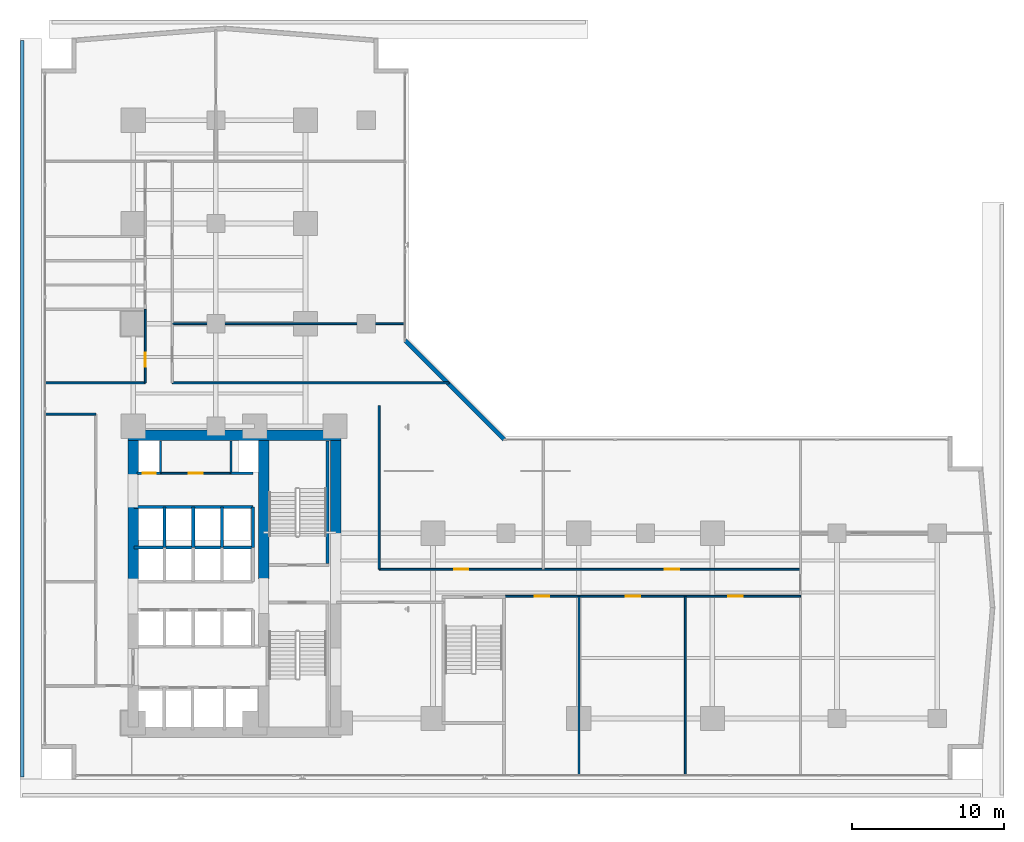
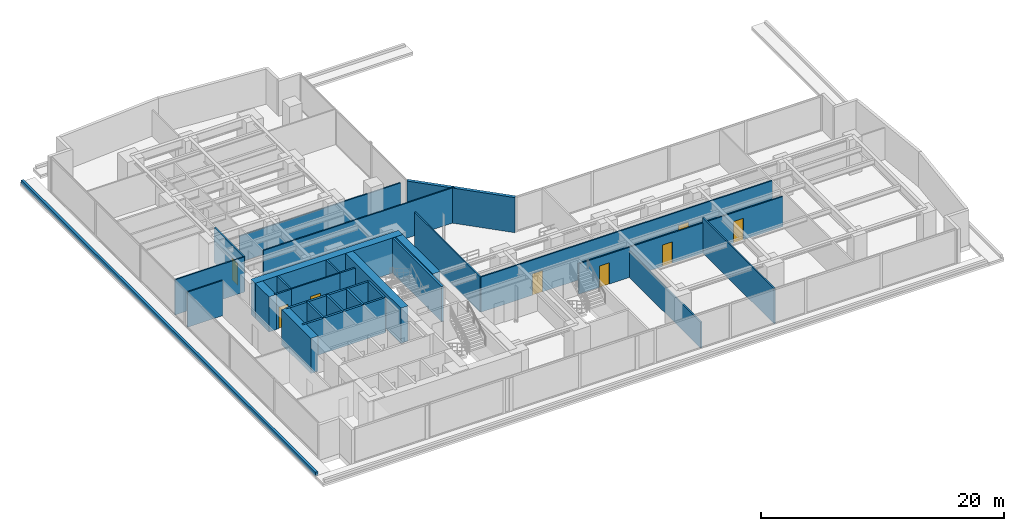
# One storey, part 22 of 29: 29 walls, 8 doors, 8 openings.
"""IFC4 building model written with IfcOpenShell, lengths in metres."""

from ifc_helpers import new_model, si_unit, direction, frame, frame_2d, origin, place, context, subcontext, project, spatial, rectangle, extrude, material, layer, layer_set, type_object, element, fill, save


model = new_model("IFC4")

# Units and contexts
model_context = context("Model", 3, precision=1e-05, world=origin(), true_north=direction((0.0, 1.0)))
body_context = subcontext(model_context, "Body", "Model", "MODEL_VIEW")
ifc_project = project(units=[si_unit("LENGTHUNIT", "METRE"), si_unit("AREAUNIT", "SQUARE_METRE"), si_unit("VOLUMEUNIT", "CUBIC_METRE"), si_unit("PLANEANGLEUNIT", "RADIAN"), si_unit("MASSUNIT", "GRAM", prefix="KILO")], contexts=[model_context])

# Site, building, storey
site_placement = place(None, origin())
site = spatial("IfcSite", under=ifc_project, at=site_placement, CompositionType="ELEMENT")
building_placement = place(site_placement, origin())
building = spatial("IfcBuilding", under=site, at=building_placement, Name="Kolvaren Waterfront Exchange", CompositionType="ELEMENT")
storey_placement = place(building_placement, frame((0.0, 0.0, 29.60009765625)))
storey = spatial("IfcBuildingStorey", under=building, at=storey_placement, Name="L07", CompositionType="ELEMENT", Elevation=29.60009765625)

# Walls
ifc_material_1 = material(Name="Precast concrete C40/50", Category="concrete")
ifc_layer_1 = layer(ifc_material_1, 0.280029296875, Name="Precast concrete C40/50")
ifc_layer_set_1 = layer_set([ifc_layer_1], Name="Precast concrete C40/50")
wall_type_1 = type_object("IfcWallType", Name="ARC-EXT-TERR-280", PredefinedType="SOLIDWALL", material=ifc_layer_set_1)
wall_1_placement = place(storey_placement, frame((31.885009765625, 23.574951171875, 0.0), z_axis=(0.0, 0.0, 1.0), x_axis=(-0.707106781187, 0.707106781187, 0.0)))
element("IfcWall", 1, at=wall_1_placement, inside=storey, type_object=wall_type_1, Name="L07 notched corner spandrel pier ELBOW", PredefinedType="SOLIDWALL", context=body_context, shape_type="SweptSolid", body=[
    extrude(rectangle(XDim=9.20654296875, YDim=0.280029296875, at=frame_2d((4.603271484375, 0.0))), origin(), (0.0, 0.0, 1.0), 3.539794921875),
])
ifc_layer_2 = layer(ifc_material_1, 0.239990234375, Name="Precast concrete C40/50")
ifc_layer_set_2 = layer_set([ifc_layer_2], Name="Precast concrete C40/50")
wall_type_2 = type_object("IfcWallType", Name="ARC-PARAPET-240", PredefinedType="PARAPET", material=ifc_layer_set_2)
wall_2_placement = place(storey_placement, frame((0.14990234375, 1.360107421875, 0.0), z_axis=(0.0, 0.0, 1.0), x_axis=(0.0, 1.0, 0.0)))
element("IfcWall", 2, at=wall_2_placement, inside=storey, type_object=wall_type_2, Name="L07 setback parapet kerb 4", PredefinedType="PARAPET", context=body_context, shape_type="SweptSolid", body=[
    extrude(rectangle(XDim=48.47998046875, YDim=0.239990234375, at=frame_2d((24.239990234375, 0.0))), origin(), (0.0, 0.0, 1.0), 0.419921875),
])

# Wall, opening, door
ifc_material_2 = material(Name="Acoustic gypsum steel stud", Category="steel")
ifc_layer_3 = layer(ifc_material_2, 0.125, Name="Acoustic gypsum steel stud")
ifc_layer_set_3 = layer_set([ifc_layer_3], Name="Acoustic gypsum steel stud")
wall_type_3 = type_object("IfcWallType", Name="ARC-PART-125", PredefinedType="PARTITIONING", material=ifc_layer_set_3)
wall_3_placement = place(storey_placement, frame((9.25, 21.35009765625, 0.0), z_axis=(0.0, 0.0, 1.0), x_axis=(1.0, 0.0, 0.0)))
wall_3 = element("IfcWall", 3, at=wall_3_placement, inside=storey, type_object=wall_type_3, Name="L07 interior wall PW-L07-SVC-EX-S", PredefinedType="PARTITIONING", context=body_context, shape_type="SweptSolid", body=[
    extrude(rectangle(XDim=4.64990234375, YDim=0.125, at=frame_2d((2.324951171875, 0.0))), origin(), (0.0, 0.0, 1.0), 3.539794921875),
])
opening_1_placement = place(wall_3_placement, frame((1.85009765625, 0.0, 0.0)))
opening_1 = element("IfcOpeningElement", 4, at=opening_1_placement, cuts=wall_3, Name="Opening D02", PredefinedType="OPENING", context=body_context, shape_type="SweptSolid", body=[
    extrude(rectangle(XDim=0.949951171875, YDim=2.14990234375, at=frame_2d((0.47509765625, 1.074951171875))), frame((0.0, 0.072509765625, 0.0), z_axis=(0.0, -1.0, 0.0), x_axis=(1.0, 0.0, 0.0)), (0.0, 0.0, 1.0), 0.14501953125),
])
ifc_material_3 = material(Name="Oak veneer acoustic timber", Category="wood")
door_type_1 = type_object("IfcDoorType", Name="ARC-DR-950", OperationType="NOTDEFINED", PredefinedType="DOOR", material=ifc_material_3)
door_1_placement = place(opening_1_placement, origin())
door_1 = element("IfcDoor", 5, at=door_1_placement, inside=storey, type_object=door_type_1, Name="L07 door DR-L07-SVC-DR-1 (D02)", OperationType="SINGLE_SWING_LEFT", OverallHeight=2.14990234375, OverallWidth=0.949951171875, PredefinedType="DOOR", context=body_context, shape_type="SweptSolid", body=[
    extrude(rectangle(XDim=0.949951171875, YDim=2.14990234375, at=frame_2d((0.47509765625, 1.074951171875))), frame((0.0, 0.02490234375, 0.0), z_axis=(0.0, -1.0, 0.0), x_axis=(1.0, 0.0, 0.0)), (0.0, 0.0, 1.0), 0.050048828125),
])
fill(opening_1, door_1)

wall_4_placement = place(storey_placement, frame((8.25, 27.300048828125, 0.0), z_axis=(0.0, 0.0, 1.0), x_axis=(0.0, 1.0, 0.0)))
wall_4 = element("IfcWall", 6, at=wall_4_placement, inside=storey, type_object=wall_type_3, Name="L07 interior wall PW-L07-PREWC-E", PredefinedType="PARTITIONING", context=body_context, shape_type="SweptSolid", body=[
    extrude(rectangle(XDim=4.849853515625, YDim=0.125, at=frame_2d((2.4248046875, 0.0))), origin(), (0.0, 0.0, 1.0), 3.539794921875),
])
opening_2_placement = place(wall_4_placement, frame((1.050048828125, 0.0, 0.0)))
opening_2 = element("IfcOpeningElement", 7, at=opening_2_placement, cuts=wall_4, Name="Opening D02", PredefinedType="OPENING", context=body_context, shape_type="SweptSolid", body=[
    extrude(rectangle(XDim=0.949951171875, YDim=2.14990234375, at=frame_2d((0.47509765625, 1.074951171875))), frame((0.0, 0.072509765625, 0.0), z_axis=(0.0, -1.0, 0.0), x_axis=(1.0, 0.0, 0.0)), (0.0, 0.0, 1.0), 0.14501953125),
])
door_2_placement = place(opening_2_placement, origin())
door_2 = element("IfcDoor", 8, at=door_2_placement, inside=storey, type_object=door_type_1, Name="L07 door DR-L07-PREWC-D (D02)", OperationType="SINGLE_SWING_RIGHT", OverallHeight=2.14990234375, OverallWidth=0.949951171875, PredefinedType="DOOR", context=body_context, shape_type="SweptSolid", body=[
    extrude(rectangle(XDim=0.949951171875, YDim=2.14990234375, at=frame_2d((0.47509765625, 1.074951171875))), frame((0.0, 0.02490234375, 0.0), z_axis=(0.0, -1.0, 0.0), x_axis=(1.0, 0.0, 0.0)), (0.0, 0.0, 1.0), 0.050048828125),
])
fill(opening_2, door_2)

# Walls
wall_5_placement = place(storey_placement, frame((1.639892578125, 27.300048828125, 0.0), z_axis=(0.0, 0.0, 1.0), x_axis=(1.0, 0.0, 0.0)))
element("IfcWall", 9, at=wall_5_placement, inside=storey, type_object=wall_type_3, Name="L07 interior wall PW-L07-PREWC-S", PredefinedType="PARTITIONING", context=body_context, shape_type="SweptSolid", body=[
    extrude(rectangle(XDim=6.610107421875, YDim=0.125, at=frame_2d((3.30517578125, 0.0))), origin(), (0.0, 0.0, 1.0), 3.539794921875),
])
wall_6_placement = place(storey_placement, frame((1.639892578125, 25.25, 0.0), z_axis=(0.0, 0.0, 1.0), x_axis=(1.0, 0.0, 0.0)))
element("IfcWall", 10, at=wall_6_placement, inside=storey, type_object=wall_type_3, Name="L07 interior wall PW-L07-WFLANK-N", PredefinedType="PARTITIONING", context=body_context, shape_type="SweptSolid", body=[
    extrude(rectangle(XDim=3.360107421875, YDim=0.125, at=frame_2d((1.68017578125, 0.0))), origin(), (0.0, 0.0, 1.0), 3.539794921875),
])

# Wall, openings, doors
wall_7_placement = place(storey_placement, frame((31.949951171875, 13.25, 0.0), z_axis=(0.0, 0.0, 1.0), x_axis=(1.0, 0.0, 0.0)))
wall_7 = element("IfcWall", 11, at=wall_7_placement, inside=storey, type_object=wall_type_3, Name="L07 interior wall PW-L07-ES-CORR", PredefinedType="PARTITIONING", context=body_context, shape_type="SweptSolid", body=[
    extrude(rectangle(XDim=19.449951171875, YDim=0.125, at=frame_2d((9.72509765625, 0.0))), origin(), (0.0, 0.0, 1.0), 3.039794921875),
])
opening_3_placement = place(wall_7_placement, frame((1.955078125, 0.0, 0.0)))
opening_3 = element("IfcOpeningElement", 12, at=opening_3_placement, cuts=wall_7, Name="Opening D02", PredefinedType="OPENING", context=body_context, shape_type="SweptSolid", body=[
    extrude(rectangle(XDim=0.949951171875, YDim=2.14990234375, at=frame_2d((0.47509765625, 1.074951171875))), frame((0.0, 0.072509765625, 0.0), z_axis=(0.0, -1.0, 0.0), x_axis=(1.0, 0.0, 0.0)), (0.0, 0.0, 1.0), 0.14501953125),
])
opening_4_placement = place(wall_7_placement, frame((7.955810546875, 0.0, 0.0)))
opening_4 = element("IfcOpeningElement", 13, at=opening_4_placement, cuts=wall_7, Name="Opening D02", PredefinedType="OPENING", context=body_context, shape_type="SweptSolid", body=[
    extrude(rectangle(XDim=0.949951171875, YDim=2.14990234375, at=frame_2d((0.47509765625, 1.074951171875))), frame((0.0, 0.072509765625, 0.0), z_axis=(0.0, -1.0, 0.0), x_axis=(1.0, 0.0, 0.0)), (0.0, 0.0, 1.0), 0.14501953125),
])
opening_5_placement = place(wall_7_placement, frame((14.705078125, 0.0, 0.0)))
opening_5 = element("IfcOpeningElement", 14, at=opening_5_placement, cuts=wall_7, Name="Opening D02", PredefinedType="OPENING", context=body_context, shape_type="SweptSolid", body=[
    extrude(rectangle(XDim=0.949951171875, YDim=2.14990234375, at=frame_2d((0.47509765625, 1.074951171875))), frame((0.0, 0.072509765625, 0.0), z_axis=(0.0, -1.0, 0.0), x_axis=(1.0, 0.0, 0.0)), (0.0, 0.0, 1.0), 0.14501953125),
])
door_3_placement = place(opening_3_placement, origin())
door_3 = element("IfcDoor", 15, at=door_3_placement, inside=storey, type_object=door_type_1, Name="L07 door DR-L07-ES-D-1 (D02)", OperationType="SINGLE_SWING_RIGHT", OverallHeight=2.14990234375, OverallWidth=0.949951171875, PredefinedType="DOOR", context=body_context, shape_type="SweptSolid", body=[
    extrude(rectangle(XDim=0.949951171875, YDim=2.14990234375, at=frame_2d((0.47509765625, 1.074951171875))), frame((0.0, 0.02490234375, 0.0), z_axis=(0.0, -1.0, 0.0), x_axis=(1.0, 0.0, 0.0)), (0.0, 0.0, 1.0), 0.050048828125),
])
fill(opening_3, door_3)
door_4_placement = place(opening_4_placement, origin())
door_4 = element("IfcDoor", 16, at=door_4_placement, inside=storey, type_object=door_type_1, Name="L07 door DR-L07-ES-D-2 (D02)", OperationType="SINGLE_SWING_LEFT", OverallHeight=2.14990234375, OverallWidth=0.949951171875, PredefinedType="DOOR", context=body_context, shape_type="SweptSolid", body=[
    extrude(rectangle(XDim=0.949951171875, YDim=2.14990234375, at=frame_2d((0.47509765625, 1.074951171875))), frame((0.0, 0.02490234375, 0.0), z_axis=(0.0, -1.0, 0.0), x_axis=(1.0, 0.0, 0.0)), (0.0, 0.0, 1.0), 0.050048828125),
])
fill(opening_4, door_4)
door_5_placement = place(opening_5_placement, origin())
door_5 = element("IfcDoor", 17, at=door_5_placement, inside=storey, type_object=door_type_1, Name="L07 door DR-L07-ES-D-3 (D02)", OperationType="SINGLE_SWING_RIGHT", OverallHeight=2.14990234375, OverallWidth=0.949951171875, PredefinedType="DOOR", context=body_context, shape_type="SweptSolid", body=[
    extrude(rectangle(XDim=0.949951171875, YDim=2.14990234375, at=frame_2d((0.47509765625, 1.074951171875))), frame((0.0, 0.02490234375, 0.0), z_axis=(0.0, -1.0, 0.0), x_axis=(1.0, 0.0, 0.0)), (0.0, 0.0, 1.0), 0.050048828125),
])
fill(opening_5, door_5)

# Walls
wall_8_placement = place(storey_placement, frame((36.81005859375, 1.43994140625, 0.0), z_axis=(0.0, 0.0, 1.0), x_axis=(0.0, 1.0, 0.0)))
element("IfcWall", 18, at=wall_8_placement, inside=storey, type_object=wall_type_3, Name="L07 interior wall PW-L07-ES-DIV-1", PredefinedType="PARTITIONING", context=body_context, shape_type="SweptSolid", body=[
    extrude(rectangle(XDim=11.81005859375, YDim=0.125, at=frame_2d((5.905029296875, 0.0))), origin(), (0.0, 0.0, 1.0), 2.6298828125),
])
wall_9_placement = place(storey_placement, frame((43.81005859375, 1.43994140625, 0.0), z_axis=(0.0, 0.0, 1.0), x_axis=(0.0, 1.0, 0.0)))
element("IfcWall", 19, at=wall_9_placement, inside=storey, type_object=wall_type_3, Name="L07 interior wall PW-L07-ES-DIV-2", PredefinedType="PARTITIONING", context=body_context, shape_type="SweptSolid", body=[
    extrude(rectangle(XDim=11.81005859375, YDim=0.125, at=frame_2d((5.905029296875, 0.0))), origin(), (0.0, 0.0, 1.0), 3.539794921875),
])
wall_10_placement = place(storey_placement, frame((23.64990234375, 15.030029296875, 0.0), z_axis=(0.0, 0.0, 1.0), x_axis=(0.0, 1.0, 0.0)))
element("IfcWall", 20, at=wall_10_placement, inside=storey, type_object=wall_type_3, Name="L07 interior wall PW-L07-EN-W0", PredefinedType="PARTITIONING", context=body_context, shape_type="SweptSolid", body=[
    extrude(rectangle(XDim=10.77001953125, YDim=0.125, at=frame_2d((5.385009765625, 0.0))), origin(), (0.0, 0.0, 1.0), 3.539794921875),
])

# Wall, openings, doors
wall_11_placement = place(storey_placement, frame((23.64990234375, 15.030029296875, 0.0), z_axis=(0.0, 0.0, 1.0), x_axis=(1.0, 0.0, 0.0)))
wall_11 = element("IfcWall", 21, at=wall_11_placement, inside=storey, type_object=wall_type_3, Name="L07 interior wall PW-L07-EN-CORR", PredefinedType="PARTITIONING", context=body_context, shape_type="SweptSolid", body=[
    extrude(rectangle(XDim=27.75, YDim=0.125, at=frame_2d((13.875, 0.0))), origin(), (0.0, 0.0, 1.0), 3.539794921875),
])
opening_6_placement = place(wall_11_placement, frame((4.93505859375, 0.0, 0.0)))
opening_6 = element("IfcOpeningElement", 22, at=opening_6_placement, cuts=wall_11, Name="Opening D02", PredefinedType="OPENING", context=body_context, shape_type="SweptSolid", body=[
    extrude(rectangle(XDim=0.949951171875, YDim=2.14990234375, at=frame_2d((0.47509765625, 1.074951171875))), frame((0.0, 0.072509765625, 0.0), z_axis=(0.0, -1.0, 0.0), x_axis=(1.0, 0.0, 0.0)), (0.0, 0.0, 1.0), 0.14501953125),
])
opening_7_placement = place(wall_11_placement, frame((18.81005859375, 0.0, 0.0)))
opening_7 = element("IfcOpeningElement", 23, at=opening_7_placement, cuts=wall_11, Name="Opening D02", PredefinedType="OPENING", context=body_context, shape_type="SweptSolid", body=[
    extrude(rectangle(XDim=0.949951171875, YDim=2.14990234375, at=frame_2d((0.47509765625, 1.074951171875))), frame((0.0, 0.072509765625, 0.0), z_axis=(0.0, -1.0, 0.0), x_axis=(1.0, 0.0, 0.0)), (0.0, 0.0, 1.0), 0.14501953125),
])
door_6_placement = place(opening_6_placement, origin())
door_6 = element("IfcDoor", 24, at=door_6_placement, inside=storey, type_object=door_type_1, Name="L07 door DR-L07-EN-D-1 (D02)", OperationType="SINGLE_SWING_LEFT", OverallHeight=2.14990234375, OverallWidth=0.949951171875, PredefinedType="DOOR", context=body_context, shape_type="SweptSolid", body=[
    extrude(rectangle(XDim=0.949951171875, YDim=2.14990234375, at=frame_2d((0.47509765625, 1.074951171875))), frame((0.0, 0.02490234375, 0.0), z_axis=(0.0, -1.0, 0.0), x_axis=(1.0, 0.0, 0.0)), (0.0, 0.0, 1.0), 0.050048828125),
])
fill(opening_6, door_6)
door_7_placement = place(opening_7_placement, origin())
door_7 = element("IfcDoor", 25, at=door_7_placement, inside=storey, type_object=door_type_1, Name="L07 door DR-L07-EN-D-2 (D02)", OperationType="SINGLE_SWING_RIGHT", OverallHeight=2.14990234375, OverallWidth=0.949951171875, PredefinedType="DOOR", context=body_context, shape_type="SweptSolid", body=[
    extrude(rectangle(XDim=0.949951171875, YDim=2.14990234375, at=frame_2d((0.47509765625, 1.074951171875))), frame((0.0, 0.02490234375, 0.0), z_axis=(0.0, -1.0, 0.0), x_axis=(1.0, 0.0, 0.0)), (0.0, 0.0, 1.0), 0.050048828125),
])
fill(opening_7, door_7)

# Walls
wall_12_placement = place(storey_placement, frame((10.030029296875, 27.300048828125, 0.0), z_axis=(0.0, 0.0, 1.0), x_axis=(1.0, 0.0, 0.0)))
element("IfcWall", 26, at=wall_12_placement, inside=storey, type_object=wall_type_3, Name="L07 interior wall PW-L07-NE-S0", PredefinedType="PARTITIONING", context=body_context, shape_type="SweptSolid", body=[
    extrude(rectangle(XDim=18.22998046875, YDim=0.125, at=frame_2d((9.114990234375, 0.0))), origin(), (0.0, 0.0, 1.0), 3.539794921875),
])
wall_13_placement = place(storey_placement, frame((10.030029296875, 31.199951171875, 0.0), z_axis=(0.0, 0.0, 1.0), x_axis=(1.0, 0.0, 0.0)))
element("IfcWall", 27, at=wall_13_placement, inside=storey, type_object=wall_type_3, Name="L07 interior wall PW-L07-NE-DIV-1", PredefinedType="PARTITIONING", context=body_context, shape_type="SweptSolid", body=[
    extrude(rectangle(XDim=15.330078125, YDim=0.125, at=frame_2d((7.6650390625, 0.0))), origin(), (0.0, 0.0, 1.0), 2.6298828125),
])
ifc_material_4 = material(Name="Gypsum fireboard steel stud", Category="steel")
ifc_layer_4 = layer(ifc_material_4, 0.14990234375, Name="Gypsum fireboard steel stud")
ifc_layer_set_4 = layer_set([ifc_layer_4], Name="Gypsum fireboard steel stud")
wall_type_4 = type_object("IfcWallType", Name="ARC-PART-150", PredefinedType="PARTITIONING", material=ifc_layer_set_4)
for number, where, z_axis, x_axis, name in (
    (28, (9.25, 21.35009765625, 0.0), (0.0, 0.0, 1.0), (0.0, 1.0, 0.0), "L07 interior wall PW-L07-SVC-R1"),
    (29, (13.89990234375, 21.35009765625, 0.0), (0.0, 0.0, 1.0), (0.0, 1.0, 0.0), "L07 interior wall PW-L07-SVC-R2"),
):
    element("IfcWall", number, at=place(storey_placement, frame(where, z_axis=z_axis, x_axis=x_axis)), inside=storey, type_object=wall_type_4, Name=name, PredefinedType="PARTITIONING", context=body_context, shape_type="SweptSolid", body=[
        extrude(rectangle(XDim=2.1298828125, YDim=0.14990234375, at=frame_2d((1.06494140625, 0.0))), origin(), (0.0, 0.0, 1.0), 3.539794921875),
    ])

# Wall, opening, door
wall_14_placement = place(storey_placement, frame((7.699951171875, 21.35009765625, 0.0), z_axis=(0.0, 0.0, 1.0), x_axis=(1.0, 0.0, 0.0)))
wall_14 = element("IfcWall", 30, at=wall_14_placement, inside=storey, type_object=wall_type_4, Name="L07 interior wall PW-L07-SVC-RE-S", PredefinedType="PARTITIONING", context=body_context, shape_type="SweptSolid", body=[
    extrude(rectangle(XDim=1.550048828125, YDim=0.14990234375, at=frame_2d((0.77490234375, 0.0))), origin(), (0.0, 0.0, 1.0), 3.539794921875),
])
opening_8_placement = place(wall_14_placement, frame((0.389892578125, 0.0, 0.0)))
opening_8 = element("IfcOpeningElement", 31, at=opening_8_placement, cuts=wall_14, Name="Opening FD1", PredefinedType="OPENING", context=body_context, shape_type="SweptSolid", body=[
    extrude(rectangle(XDim=0.85009765625, YDim=2.14990234375, at=frame_2d((0.425048828125, 1.074951171875))), frame((0.0, 0.0849609375, 0.0), z_axis=(0.0, -1.0, 0.0), x_axis=(1.0, 0.0, 0.0)), (0.0, 0.0, 1.0), 0.169921875),
])
ifc_material_5 = material(Name="Pressed steel fire leaf", Category="steel")
door_type_2 = type_object("IfcDoorType", Name="ARC-FD-900", OperationType="NOTDEFINED", PredefinedType="DOOR", material=ifc_material_5)
door_8_placement = place(opening_8_placement, origin())
door_8 = element("IfcDoor", 32, at=door_8_placement, inside=storey, type_object=door_type_2, Name="L07 door DR-L07-RISER-E-DR (FD1)", OperationType="SINGLE_SWING_RIGHT", OverallHeight=2.14990234375, OverallWidth=0.85009765625, PredefinedType="DOOR", context=body_context, shape_type="SweptSolid", body=[
    extrude(rectangle(XDim=0.85009765625, YDim=2.14990234375, at=frame_2d((0.425048828125, 1.074951171875))), frame((0.0, 0.02490234375, 0.0), z_axis=(0.0, -1.0, 0.0), x_axis=(1.0, 0.0, 0.0)), (0.0, 0.0, 1.0), 0.050048828125),
])
fill(opening_8, door_8)

# Walls
wall_15_placement = place(storey_placement, frame((13.89990234375, 21.35009765625, 0.0), z_axis=(0.0, 0.0, 1.0), x_axis=(1.0, 0.0, 0.0)))
element("IfcWall", 33, at=wall_15_placement, inside=storey, type_object=wall_type_4, Name="L07 interior wall PW-L07-SVC-RP-S", PredefinedType="PARTITIONING", context=body_context, shape_type="SweptSolid", body=[
    extrude(rectangle(XDim=1.4501953125, YDim=0.14990234375, at=frame_2d((0.72509765625, 0.0))), origin(), (0.0, 0.0, 1.0), 3.539794921875),
])
ifc_material_6 = material(Name="Concrete C40/50", Category="concrete")
ifc_layer_5 = layer(ifc_material_6, 0.199951171875, Name="Concrete C40/50")
ifc_layer_set_5 = layer_set([ifc_layer_5], Name="Concrete C40/50")
wall_type_5 = type_object("IfcWallType", Name="ARC-SHAFT-200", PredefinedType="PARTITIONING", material=ifc_layer_set_5)
wall_16_placement = place(storey_placement, frame((20.260009765625, 15.39990234375, 0.0), z_axis=(0.0, 0.0, 1.0), x_axis=(0.0, 1.0, 0.0)))
element("IfcWall", 34, at=wall_16_placement, inside=storey, type_object=wall_type_5, Name="L07 structural stairwell wall PW-L07-ST2-E", PredefinedType="SHEAR", context=body_context, shape_type="SweptSolid", body=[
    extrude(rectangle(XDim=8.090087890625, YDim=0.199951171875, at=frame_2d((4.044921875, 0.0))), origin(), (0.0, 0.0, 1.0), 3.539794921875),
])
for number, where, z_axis, x_axis, name in (
    (35, (7.5, 16.449951171875, 0.0), (0.0, 0.0, 1.0), (1.0, 0.0, 0.0), "L07 interior wall PW-L07-PM-N"),
    (36, (7.5, 19.1201171875, 0.0), (0.0, 0.0, 1.0), (1.0, 0.0, 0.0), "L07 interior wall PW-L07-PH-N"),
):
    element("IfcWall", number, at=place(storey_placement, frame(where, z_axis=z_axis, x_axis=x_axis)), inside=storey, type_object=wall_type_5, Name=name, PredefinedType="PARTITIONING", context=body_context, shape_type="SweptSolid", body=[
        extrude(rectangle(XDim=7.85009765625, YDim=0.199951171875, at=frame_2d((3.925048828125, 0.0))), origin(), (0.0, 0.0, 1.0), 3.539794921875),
    ])
for number, where, z_axis, x_axis, name in (
    (37, (15.35009765625, 16.449951171875, 0.0), (0.0, 0.0, 1.0), (0.0, 1.0, 0.0), "L07 interior wall PW-L07-PH-E"),
    (38, (9.52001953125, 16.449951171875, 0.0), (0.0, 0.0, 1.0), (0.0, 1.0, 0.0), "L07 interior wall PW-L07-SH4-DIV-95"),
    (39, (11.409912109375, 16.449951171875, 0.0), (0.0, 0.0, 1.0), (0.0, 1.0, 0.0), "L07 interior wall PW-L07-SH4-DIV-114"),
    (40, (13.300048828125, 16.449951171875, 0.0), (0.0, 0.0, 1.0), (0.0, 1.0, 0.0), "L07 interior wall PW-L07-SH4-DIV-133"),
):
    element("IfcWall", number, at=place(storey_placement, frame(where, z_axis=z_axis, x_axis=x_axis)), inside=storey, type_object=wall_type_5, Name=name, PredefinedType="PARTITIONING", context=body_context, shape_type="SweptSolid", body=[
        extrude(rectangle(XDim=2.670166015625, YDim=0.199951171875, at=frame_2d((1.3349609375, 0.0))), origin(), (0.0, 0.0, 1.0), 3.539794921875),
    ])
ifc_material_7 = material(Name="Concrete C70/85", Category="concrete")
ifc_layer_6 = layer(ifc_material_7, 0.699951171875, Name="Concrete C70/85")
ifc_layer_set_6 = layer_set([ifc_layer_6], Name="Concrete C70/85")
wall_type_6 = type_object("IfcWallType", Name="STR-CWALL-700", PredefinedType="SHEAR", material=ifc_layer_set_6)
wall_17_placement = place(storey_placement, frame((7.10009765625, 23.85009765625, 0.0), z_axis=(0.0, 0.0, 1.0), x_axis=(1.0, 0.0, 0.0)))
element("IfcWall", 41, at=wall_17_placement, inside=storey, type_object=wall_type_6, Name="L07 rear-core shear wall N", PredefinedType="SHEAR", context=body_context, shape_type="SweptSolid", body=[
    extrude(rectangle(XDim=14.0498046875, YDim=0.699951171875, at=frame_2d((7.02490234375, 0.0))), origin(), (0.0, 0.0, 1.0), 3.539794921875),
])
wall_18_placement = place(storey_placement, frame((7.449951171875, 14.35009765625, 0.0), z_axis=(0.0, 0.0, 1.0), x_axis=(0.0, 1.0, 0.0)))
element("IfcWall", 42, at=wall_18_placement, inside=storey, type_object=wall_type_6, Name="L07 rear-core shear wall W2B", PredefinedType="SHEAR", context=body_context, shape_type="SweptSolid", body=[
    extrude(rectangle(XDim=4.809814453125, YDim=0.699951171875, at=frame_2d((2.40478515625, 0.0))), origin(), (0.0, 0.0, 1.0), 3.539794921875),
])
wall_19_placement = place(storey_placement, frame((7.449951171875, 21.239990234375, 0.0), z_axis=(0.0, 0.0, 1.0), x_axis=(0.0, 1.0, 0.0)))
element("IfcWall", 43, at=wall_19_placement, inside=storey, type_object=wall_type_6, Name="L07 rear-core shear wall W3", PredefinedType="SHEAR", context=body_context, shape_type="SweptSolid", body=[
    extrude(rectangle(XDim=2.260009765625, YDim=0.699951171875, at=frame_2d((1.1298828125, 0.0))), origin(), (0.0, 0.0, 1.0), 3.539794921875),
])
wall_20_placement = place(storey_placement, frame((20.800048828125, 17.35009765625, 0.0), z_axis=(0.0, 0.0, 1.0), x_axis=(0.0, 1.0, 0.0)))
element("IfcWall", 44, at=wall_20_placement, inside=storey, type_object=wall_type_6, Name="L07 rear-core shear wall E3", PredefinedType="SHEAR", context=body_context, shape_type="SweptSolid", body=[
    extrude(rectangle(XDim=6.14990234375, YDim=0.699951171875, at=frame_2d((3.074951171875, 0.0))), origin(), (0.0, 0.0, 1.0), 3.539794921875),
])
wall_21_placement = place(storey_placement, frame((16.050048828125, 14.39990234375, 0.0), z_axis=(0.0, 0.0, 1.0), x_axis=(0.0, 1.0, 0.0)))
element("IfcWall", 45, at=wall_21_placement, inside=storey, type_object=wall_type_6, Name="L07 rear-core shear wall M3", PredefinedType="SHEAR", context=body_context, shape_type="SweptSolid", body=[
    extrude(rectangle(XDim=9.10009765625, YDim=0.699951171875, at=frame_2d((4.550048828125, 0.0))), origin(), (0.0, 0.0, 1.0), 3.539794921875),
])

save(model, "model.ifc")
